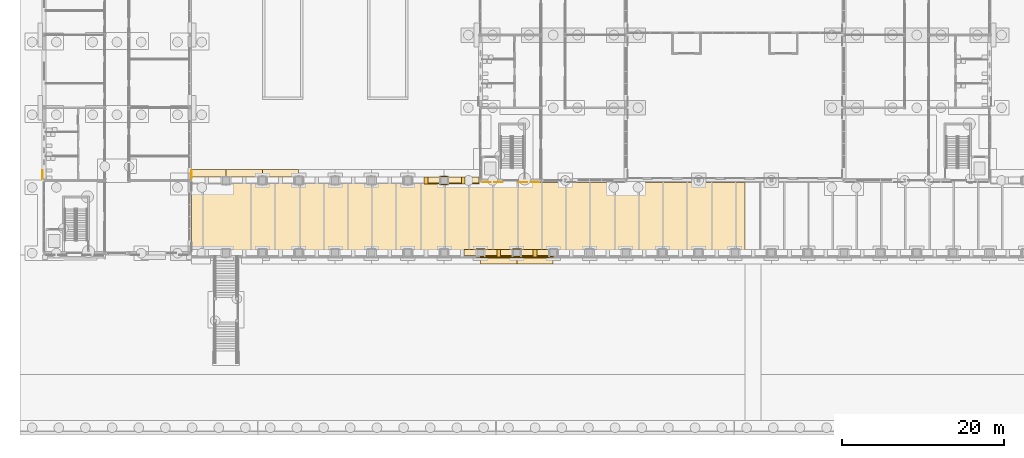
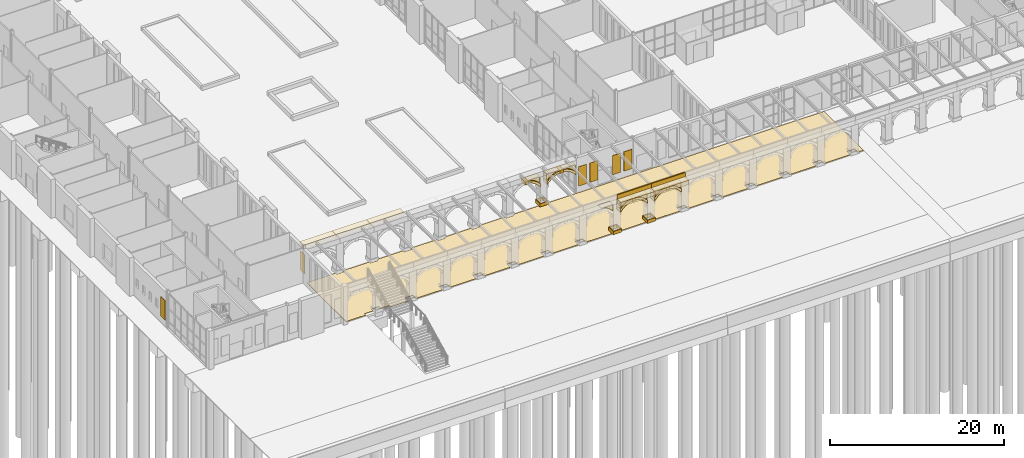
# One storey, part 127 of 168: 36 coverings.
"""IFC4 building model written with IfcOpenShell, lengths in metres."""

import ifcopenshell
import ifcopenshell.guid

model = None  # the IFC model being written
_history = None  # IfcOwnerHistory: only IFC2X3 demands one
_inside = {}  # id of a spatial element -> (the spatial element, [elements in it])
_under = {}  # id of a project, library or spatial element -> (it, [spatial elements below it])
_declared = {}  # id of a project -> (the project, [libraries it declares])
_typed = {}  # id of a type object -> (the type object, [elements of that type])
_made_of = {}  # id of a material, layer set ... -> (it, [elements and type objects made of it])


def new_model(schema):
    """Start an empty IFC model of exactly this schema.

    Asked for "IFC4X3", IfcOpenShell would pick the latest addendum, in which some entities
    have other attributes; the version numbers below select the first issue.
    IFC2X3 requires an IfcOwnerHistory on every rooted entity: one is made here for all.
    """
    global model, _history
    if schema == "IFC4X3":
        model = ifcopenshell.file(schema_version=(4, 3, 0, 0))
    else:
        model = ifcopenshell.file(schema=schema)
    _inside.clear()
    _under.clear()
    _declared.clear()
    _typed.clear()
    _made_of.clear()
    _history = None
    if model.schema == "IFC2X3":
        org = make("IfcOrganization", Name="unknown")
        user = make(
            "IfcPersonAndOrganization",
            ThePerson=make("IfcPerson", FamilyName="unknown"),
            TheOrganization=org,
        )
        app = make(
            "IfcApplication",
            ApplicationDeveloper=org,
            Version="unknown",
            ApplicationFullName="unknown",
            ApplicationIdentifier="unknown",
        )
        _history = make(
            "IfcOwnerHistory",
            OwningUser=user,
            OwningApplication=app,
            ChangeAction="ADDED",
            CreationDate=0,
        )
    return model


def make(cls, **values):
    """One entity of the class cls with the attributes given. An attribute that is None is left unset."""
    return model.create_entity(
        cls, **{name: value for name, value in values.items() if value is not None}
    )


def rooted(cls, **values):
    """An entity with a GlobalId (a new one), such as an element, a storey or a relation."""
    return make(cls, GlobalId=ifcopenshell.guid.new(), OwnerHistory=_history, **values)


def si_unit(unit_type, name, prefix=None):
    """IfcSIUnit, for example si_unit("LENGTHUNIT", "METRE", prefix="MILLI")."""
    return make("IfcSIUnit", UnitType=unit_type, Prefix=prefix, Name=name)


def assignment(units):
    """IfcUnitAssignment: the units of a project."""
    return None if units is None else make("IfcUnitAssignment", Units=units)


def point(xyz):
    """IfcCartesianPoint."""
    return None if xyz is None else make("IfcCartesianPoint", Coordinates=xyz)


def direction(xyz):
    """IfcDirection."""
    return None if xyz is None else make("IfcDirection", DirectionRatios=xyz)


def frame(location, z_axis=None, x_axis=None):
    """IfcAxis2Placement3D, a coordinate frame: its origin and axes. An axis left out is left unset."""
    return make(
        "IfcAxis2Placement3D",
        Location=point(location),
        Axis=direction(z_axis),
        RefDirection=direction(x_axis),
    )


def frame_2d(location, x_axis=None):
    """IfcAxis2Placement2D, a coordinate frame in the plane: its origin and x axis."""
    return make(
        "IfcAxis2Placement2D", Location=point(location), RefDirection=direction(x_axis)
    )


def origin():
    """The frame at (0, 0, 0) with its axes left unset."""
    return frame((0.0, 0.0, 0.0))


def origin_2d():
    """The frame at (0, 0) in the plane with its x axis left unset."""
    return frame_2d((0.0, 0.0))


def place(relative_to, where):
    """IfcLocalPlacement: puts the frame where relative to a parent placement (None: the world)."""
    return make(
        "IfcLocalPlacement", PlacementRelTo=relative_to, RelativePlacement=where
    )


def context(
    kind, dimensions, precision=None, world=None, true_north=None, identifier=None
):
    """IfcGeometricRepresentationContext, for example the 3D "Model" context."""
    return make(
        "IfcGeometricRepresentationContext",
        ContextIdentifier=identifier,
        ContextType=kind,
        CoordinateSpaceDimension=dimensions,
        Precision=precision,
        WorldCoordinateSystem=world,
        TrueNorth=true_north,
    )


def subcontext(parent, identifier, kind, view, scale=None):
    """IfcGeometricRepresentationSubContext, for example "Body" below "Model"."""
    return make(
        "IfcGeometricRepresentationSubContext",
        ContextIdentifier=identifier,
        ContextType=kind,
        ParentContext=parent,
        TargetScale=scale,
        TargetView=view,
    )


def project(units=None, contexts=None):
    """IfcProject with its units and contexts."""
    return rooted(
        "IfcProject",
        Name="project",
        RepresentationContexts=contexts,
        UnitsInContext=assignment(units),
    )


def spatial(cls, under=None, at=None, **own):
    """A site, building, storey or space (cls), placed at a placement, below another one or the project."""
    s = rooted(cls, ObjectPlacement=at, **own)
    if under is not None:
        _under.setdefault(under.id(), (under, []))[1].append(s)
    return s


def polyline(points):
    """IfcPolyline through the points."""
    return make("IfcPolyline", Points=[point(p) for p in points])


def profile(cls, at=None, kind="AREA", **sizes):
    """A parametric profile (cls). Its sizes go by their IFC names, for example OverallWidth=200.0."""
    return make(cls, ProfileType=kind, Position=at, **sizes)


def rectangle(**sizes):
    """IfcRectangleProfileDef."""
    return profile("IfcRectangleProfileDef", **sizes)


def outline(outer, holes=None, kind="AREA"):
    """IfcArbitraryClosedProfileDef: a profile drawn as a closed curve; with holes, ...WithVoids."""
    if holes is None:
        return make("IfcArbitraryClosedProfileDef", ProfileType=kind, OuterCurve=outer)
    return make(
        "IfcArbitraryProfileDefWithVoids",
        ProfileType=kind,
        OuterCurve=outer,
        InnerCurves=holes,
    )


def extrude(swept, where, along, depth):
    """IfcExtrudedAreaSolid: the profile swept, set in the frame where, extruded along a direction by depth."""
    return make(
        "IfcExtrudedAreaSolid",
        SweptArea=swept,
        Position=where,
        ExtrudedDirection=direction(along),
        Depth=depth,
    )


def shape(context_of_items, identifier, shape_type, items):
    """IfcShapeRepresentation: the items that make up one representation, for example the "Body"."""
    return make(
        "IfcShapeRepresentation",
        ContextOfItems=context_of_items,
        RepresentationIdentifier=identifier,
        RepresentationType=shape_type,
        Items=items,
    )


def material(Name=None, Category=None):
    """IfcMaterial."""
    return make("IfcMaterial", Name=Name, Category=Category)


def layer(
    of_material, thickness, ventilated=None, Name=None, Category=None, Priority=None
):
    """IfcMaterialLayer: one layer of a wall or slab, of a material (None: an air gap)."""
    return make(
        "IfcMaterialLayer",
        Material=of_material,
        LayerThickness=thickness,
        IsVentilated=ventilated,
        Name=Name,
        Category=Category,
        Priority=Priority,
    )


def layer_set(layers, Name=None):
    """IfcMaterialLayerSet."""
    return make("IfcMaterialLayerSet", MaterialLayers=layers, LayerSetName=Name)


def material_profile(
    of_material, cross_section, Name=None, Category=None, Priority=None
):
    """IfcMaterialProfile: a cross section and its material."""
    return make(
        "IfcMaterialProfile",
        Name=Name,
        Material=of_material,
        Profile=cross_section,
        Priority=Priority,
        Category=Category,
    )


def profile_set(profiles, Name=None, composite=None):
    """IfcMaterialProfileSet."""
    return make(
        "IfcMaterialProfileSet",
        Name=Name,
        MaterialProfiles=profiles,
        CompositeProfile=composite,
    )


def made_of(thing, what):
    """Note that an element or type object is made of a material, layer set ...; save() writes the relation."""
    if what is not None:
        _made_of.setdefault(what.id(), (what, []))[1].append(thing)
    return thing


def type_object(cls, material=None, **own):
    """A type object (cls), such as IfcWallType, which elements share."""
    return made_of(rooted(cls, **own), material)


def element(
    cls,
    number,
    at=None,
    inside=None,
    cuts=None,
    type_object=None,
    material=None,
    context=None,
    identifier="Body",
    shape_type=None,
    held_by="IfcProductDefinitionShape",
    body=None,
    shapes=None,
    **own,
):
    """One element of the class cls, such as IfcWall. Its Tag is "e" and its number.

    at: its placement. inside: the storey or other place that contains it. cuts: it is an
    opening in that element (IfcRelVoidsElement). A single representation is given by context,
    identifier, shape_type and body (its items); several are given by shapes. held_by: the class
    of the entity that holds the representations. save() writes the other relations.
    """
    e = rooted(cls, Tag="e%d" % number, ObjectPlacement=at, **own)
    if body is not None:
        shapes = [shape(context, identifier, shape_type, body)]
    if shapes is not None:
        e.Representation = make(held_by, Representations=shapes)
    if inside is not None:
        _inside.setdefault(inside.id(), (inside, []))[1].append(e)
    if cuts is not None:
        rooted(
            "IfcRelVoidsElement", RelatingBuildingElement=cuts, RelatedOpeningElement=e
        )
    if type_object is not None:
        _typed.setdefault(type_object.id(), (type_object, []))[1].append(e)
    return made_of(e, material)


def aggregate(whole, parts):
    """IfcRelAggregates: a whole, such as a stair, and the parts it consists of."""
    return rooted("IfcRelAggregates", RelatingObject=whole, RelatedObjects=parts)


def save(model, path):
    """Write the relations noted so far, then the file.

    IfcRelAggregates (storeys below a building ...), IfcRelContainedInSpatialStructure (elements
    in a storey), IfcRelDefinesByType, IfcRelAssociatesMaterial and IfcRelDeclares: one each for
    every whole, place, type object, material and project.
    """
    for whole, parts in _under.values():
        aggregate(whole, parts)
    for where, things in _inside.values():
        rooted(
            "IfcRelContainedInSpatialStructure",
            RelatedElements=things,
            RelatingStructure=where,
        )
    for kind, things in _typed.values():
        rooted("IfcRelDefinesByType", RelatedObjects=things, RelatingType=kind)
    for what, things in _made_of.values():
        rooted("IfcRelAssociatesMaterial", RelatedObjects=things, RelatingMaterial=what)
    for by, libraries in _declared.values():
        rooted("IfcRelDeclares", RelatingContext=by, RelatedDefinitions=libraries)
    model.write(path)


model = new_model("IFC4")

# Units and contexts
model_context = context("Model", 3, precision=1e-05, world=origin(), true_north=direction((0.0, 1.0)))
body_context = subcontext(model_context, "Body", "Model", "MODEL_VIEW")
ifc_project = project(units=[si_unit("LENGTHUNIT", "METRE"), si_unit("AREAUNIT", "SQUARE_METRE"), si_unit("VOLUMEUNIT", "CUBIC_METRE"), si_unit("PLANEANGLEUNIT", "RADIAN"), si_unit("MASSUNIT", "GRAM", prefix="KILO")], contexts=[model_context])

# Site, building, storey
site_placement = place(None, origin())
site = spatial("IfcSite", under=ifc_project, at=site_placement, CompositionType="ELEMENT")
building_placement = place(site_placement, origin())
building = spatial("IfcBuilding", under=site, at=building_placement, Name="Golden Quay Civic Hall", CompositionType="ELEMENT")
storey_placement = place(building_placement, origin())
storey = spatial("IfcBuildingStorey", under=building, at=storey_placement, Name="L00", CompositionType="ELEMENT", Elevation=0.0)

# Coverings
ifc_material_1 = material(Name="Brick, dark clay facing", Category="masonry")
ifc_layer_1 = layer(ifc_material_1, 0.75)
ifc_layer_set_1 = layer_set([ifc_layer_1], Name="Brick arch spandrel infill 750")
covering_type_1 = type_object("IfcCoveringType", Name="Brick arch spandrel infill 750", PredefinedType="CLADDING", material=ifc_layer_set_1)
covering_1_placement = place(storey_placement, frame((51.97509765625, -9.300048828125, 4.091064453125), z_axis=(0.0, -1.0, 0.0), x_axis=(0.97842552974, 0.0, -0.206599813053)))
element("IfcCovering", 1, at=covering_1_placement, inside=storey, type_object=covering_type_1, Name="Arch spandrel outer bay 8 right", PredefinedType="CLADDING", context=body_context, shape_type="SweptSolid", body=[
    extrude(outline(polyline([(0.0, 0.0), (0.06263051710363293, 1.734723475976807e-18), (0.31267483867747137, -0.0001008788149670925), (0.5881025541456739, -0.03651242089648961), (0.8673750848258303, -0.11003975339043703), (1.1505561937424948, -0.22216655622637274), (1.4375212099073598, -0.3746658221616902), (1.7294911476562997, -0.5697749671774053), (1.7300697733119603, -0.5701518352031314), (1.539106176579233, 0.3342229342292182), (-0.0018662580768914177, 0.008838316552825392), (0.0, 0.0)])), origin(), (0.0, 0.0, -1.0), 0.75),
])
covering_2_placement = place(storey_placement, frame((54.449951171875, -9.300048828125, 3.17578125), z_axis=(0.0, -1.0, 0.0), x_axis=(0.707106781187, 0.0, 0.707106781187)))
element("IfcCovering", 2, at=covering_2_placement, inside=storey, type_object=covering_type_1, Name="Arch spandrel outer bay 9 left", PredefinedType="CLADDING", context=body_context, shape_type="SweptSolid", body=[
    extrude(outline(polyline([(0.0, 0.0), (0.0006905339660024879, 0.0), (0.35182705567826755, 0.004143203796014933), (0.6755148522419337, -0.02468658928458889), (0.9739981590465092, -0.08528094480130727), (1.2481401435494968, -0.17608616133063437), (1.4988039732084, -0.29589380443206603), (1.7083810318901549, -0.4322742627175573), (1.760861613306344, -0.46645569403468046), (1.767249052491867, -0.4600682548491575), (0.6535903988213547, 0.6535903988213547), (0.0, 0.0)])), origin(), (0.0, 0.0, -1.0), 0.75),
])
covering_3_placement = place(storey_placement, frame((56.47509765625, -9.300048828125, 4.091064453125), z_axis=(0.0, -1.0, 0.0), x_axis=(0.97842552974, 0.0, -0.206599813053)))
element("IfcCovering", 3, at=covering_3_placement, inside=storey, type_object=covering_type_1, Name="Arch spandrel outer bay 9 right", PredefinedType="CLADDING", context=body_context, shape_type="SweptSolid", body=[
    extrude(outline(polyline([(0.0, 0.0), (0.06263051710363293, 1.734723475976807e-18), (0.31267483867747137, -0.0001008788149670925), (0.5881025541456739, -0.03651242089648961), (0.8673750848258303, -0.11003975339043703), (1.1505561937424948, -0.22216655622637274), (1.4375212099073598, -0.3746658221616902), (1.7294911476562997, -0.5697749671774053), (1.7300697733119603, -0.5701518352031314), (1.539106176579233, 0.3342229342292182), (-0.0018662580768914177, 0.008838316552825392), (0.0, 0.0)])), origin(), (0.0, 0.0, -1.0), 0.75),
])
covering_4_placement = place(storey_placement, frame((58.949951171875, -9.300048828125, 3.17578125), z_axis=(0.0, -1.0, 0.0), x_axis=(0.707106781187, 0.0, 0.707106781187)))
element("IfcCovering", 4, at=covering_4_placement, inside=storey, type_object=covering_type_1, Name="Arch spandrel outer bay 10 left", PredefinedType="CLADDING", context=body_context, shape_type="SweptSolid", body=[
    extrude(outline(polyline([(0.0, 0.0), (0.0006905339660024879, 0.0), (0.35182705567826755, 0.004143203796014933), (0.6755148522419337, -0.02468658928458889), (0.9739981590465092, -0.08528094480130727), (1.2481401435494968, -0.17608616133063437), (1.4988039732084, -0.29589380443206603), (1.7083810318901549, -0.4322742627175573), (1.760861613306344, -0.46645569403468046), (1.767249052491867, -0.4600682548491575), (0.6535903988213547, 0.6535903988213547), (0.0, 0.0)])), origin(), (0.0, 0.0, -1.0), 0.75),
])
for number, where, z_axis, x_axis, name in (
    (5, (60.97509765625, -9.300048828125, 4.091064453125), (0.0, -1.0, 0.0), (0.97842552974, 0.0, -0.206599813053), "Arch spandrel outer bay 10 right"),
    (6, (47.47509765625, -0.300048828125, 4.091064453125), (0.0, -1.0, 0.0), (0.97842552974, 0.0, -0.206599813053), "Arch spandrel inner0 bay 7 right"),
):
    element("IfcCovering", number, at=place(storey_placement, frame(where, z_axis=z_axis, x_axis=x_axis)), inside=storey, type_object=covering_type_1, Name=name, PredefinedType="CLADDING", context=body_context, shape_type="SweptSolid", body=[
        extrude(outline(polyline([(0.0, 0.0), (0.06263051710363293, 1.734723475976807e-18), (0.31267483867747137, -0.0001008788149670925), (0.5881025541456739, -0.03651242089648961), (0.8673750848258303, -0.11003975339043703), (1.1505561937424948, -0.22216655622637274), (1.4375212099073598, -0.3746658221616902), (1.7294911476562997, -0.5697749671774053), (1.7300697733119603, -0.5701518352031314), (1.539106176579233, 0.3342229342292182), (-0.0018662580768914177, 0.008838316552825392), (0.0, 0.0)])), origin(), (0.0, 0.0, -1.0), 0.75),
    ])
covering_5_placement = place(storey_placement, frame((49.949951171875, -0.300048828125, 3.1572265625), z_axis=(0.0, -1.0, 0.0), x_axis=(0.658056528973, 0.0, 0.752968528344)))
element("IfcCovering", 7, at=covering_5_placement, inside=storey, type_object=covering_type_1, Name="Arch spandrel inner0 bay 8 left", PredefinedType="CLADDING", context=body_context, shape_type="SweptSolid", body=[
    extrude(outline(polyline([(0.0, 0.0), (0.0385842612026579, 0.0), (0.4021525223351694, -0.03276039665791591), (0.7352018795032452, -0.09738057643804893), (1.0399151233174213, -0.19227712789255808), (1.3174647506449282, -0.31545263540967905), (1.568425423981958, -0.46608063545322176), (1.778152518425552, -0.6303723176978897), (1.8223660004242417, -0.6650096362183683), (1.8286162274661582, -0.659547252921231), (0.7099522598788931, 0.6204624792218898), (0.0, 0.0)])), origin(), (0.0, 0.0, -1.0), 0.75),
])
covering_6_placement = place(storey_placement, frame((52.10009765625, -0.300048828125, 4.091796875), z_axis=(0.0, -1.0, 0.0), x_axis=(0.982376592497, 0.0, -0.186912360519)))
element("IfcCovering", 8, at=covering_6_placement, inside=storey, type_object=covering_type_1, Name="Arch spandrel inner0 bay 8 right", PredefinedType="CLADDING", context=body_context, shape_type="SweptSolid", body=[
    extrude(outline(polyline([(0.0, 0.0), (0.05616561069495772, 0.0), (0.3225810962179613, -8.489841956726973e-06), (0.6130292018599638, -0.03620174733371928), (0.9074781455240727, -0.11040296603549432), (1.2058706207770802, -0.2236171309889091), (1.5078978096178108, -0.37813968321301317), (1.814301511987233, -0.5765632081953413), (1.8446749828176605, -0.600358112739552), (1.6684407210194774, 0.3258963795020623), (-0.001551518617591463, 0.0081544931994342), (0.0, 0.0)])), origin(), (0.0, 0.0, -1.0), 0.75),
])
ifc_material_2 = material(Name="Concrete block paving", Category="concrete")
ifc_layer_2 = layer(ifc_material_2, 0.10009765625)
ifc_layer_set_2 = layer_set([ifc_layer_2], Name="Concrete block paving 100")
covering_type_2 = type_object("IfcCoveringType", Name="Concrete block paving 100", PredefinedType="FLOORING", material=ifc_layer_set_2)
covering_7_placement = place(storey_placement, frame((0.0, 0.0, -0.10009765625)))
element("IfcCovering", 9, at=covering_7_placement, inside=storey, type_object=covering_type_2, Name="Arcade floor paving", PredefinedType="FLOORING", context=body_context, shape_type="SweptSolid", body=[
    extrude(outline(polyline([(86.75, -0.25), (86.75, -9.25), (86.0, -9.25), (86.0, -8.5), (85.0, -8.5), (85.0, -9.25), (81.5, -9.25), (81.5, -8.5), (80.5, -8.5), (80.5, -9.25), (77.0, -9.25), (77.0, -8.5), (76.0, -8.5), (76.0, -9.25), (72.5, -9.25), (72.5, -8.5), (71.5, -8.5), (71.5, -9.25), (68.0, -9.25), (68.0, -8.5), (67.0, -8.5), (67.0, -9.25), (63.5, -9.25), (63.5, -8.5), (62.5, -8.5), (62.5, -9.25), (59.0, -9.25), (59.0, -8.5), (58.0, -8.5), (58.0, -9.25), (54.5, -9.25), (54.5, -8.5), (53.5, -8.5), (53.5, -9.25), (50.0, -9.25), (50.0, -8.5), (49.0, -8.5), (49.0, -9.25), (45.5, -9.25), (45.5, -8.5), (44.5, -8.5), (44.5, -9.25), (41.0, -9.25), (41.0, -8.5), (40.0, -8.5), (40.0, -9.25), (36.5, -9.25), (36.5, -8.5), (35.5, -8.5), (35.5, -9.25), (32.0, -9.25), (32.0, -8.5), (31.0, -8.5), (31.0, -9.25), (27.5, -9.25), (27.5, -8.5), (26.5, -8.5), (26.5, -9.25), (24.14990234375, -9.25), (24.14990234375, -8.949951171875), (23.0, -8.949951171875), (23.0, -8.5), (22.0, -8.5), (22.0, -8.949951171875), (20.85009765625, -8.949951171875), (20.85009765625, -9.25), (18.25, -9.25), (18.25, -8.85009765625), (18.25, -0.25), (22.0, -0.25), (22.0, -0.5), (23.0, -0.5), (23.0, -0.25), (26.5, -0.25), (26.5, -0.5), (27.5, -0.5), (27.5, -0.25), (31.0, -0.25), (31.0, -0.5), (32.0, -0.5), (32.0, -0.25), (35.5, -0.25), (35.5, -0.5), (36.5, -0.5), (36.5, -0.25), (40.0, -0.25), (40.0, -0.5), (41.0, -0.5), (41.0, -0.25), (44.5, -0.25), (44.5, -0.5), (45.5, -0.5), (45.5, -0.25), (49.0, -0.25), (49.0, -0.5), (50.0, -0.5), (50.0, -0.25), (53.75, -0.25), (54.009033203125, -0.25), (61.490966796875, -0.25), (61.509033203125, -0.25), (64.490966796875, -0.25), (64.509033203125, -0.25), (71.75, -0.25), (71.990966796875, -0.25), (72.25, -0.25), (86.75, -0.25)])), origin(), (0.0, 0.0, 1.0), 0.10009765625),
])
ifc_material_3 = material(Name="Stone, buff limestone", Category="masonry")
ifc_layer_3 = layer(ifc_material_3, 0.89990234375)
ifc_layer_set_3 = layer_set([ifc_layer_3], Name="Stone arch keystone 450 x 420")
covering_type_3 = type_object("IfcCoveringType", Name="Stone arch keystone 450 x 420", PredefinedType="CLADDING", material=ifc_layer_set_3)
for number, where, z_axis, x_axis, name in (
    (10, (56.02490234375, -9.449951171875, 3.679931640625), (0.0, -1.0, 0.0), (1.0, 0.0, 0.0), "Arch keystone outer bay 9 crown"),
    (11, (60.52490234375, -9.449951171875, 3.679931640625), (0.0, -1.0, 0.0), (1.0, 0.0, 0.0), "Arch keystone outer bay 10 crown"),
    (12, (47.02490234375, -0.449951171875, 3.679931640625), (0.0, -1.0, 0.0), (1.0, 0.0, 0.0), "Arch keystone inner0 bay 7 crown"),
    (13, (51.64990234375, -0.449951171875, 3.679931640625), (0.0, -1.0, 0.0), (1.0, 0.0, 0.0), "Arch keystone inner0 bay 8 crown"),
):
    element("IfcCovering", number, at=place(storey_placement, frame(where, z_axis=z_axis, x_axis=x_axis)), inside=storey, type_object=covering_type_3, Name=name, PredefinedType="CLADDING", context=body_context, shape_type="SweptSolid", body=[
        extrude(outline(polyline([(0.0, 0.0), (0.4501953125, 0.0), (0.4501953125, 0.420166015625), (0.0, 0.420166015625), (0.0, 0.0)])), origin(), (0.0, 0.0, -1.0), 0.89990234375),
    ])
ifc_material_4 = material(Name="Stone, buff limestone", Category="masonry")
ifc_layer_4 = layer(ifc_material_4, 0.89990234375)
ifc_layer_set_4 = layer_set([ifc_layer_4], Name="Stone arch ring 900 x 300")
covering_type_4 = type_object("IfcCoveringType", Name="Stone arch ring 900 x 300", PredefinedType="CLADDING", material=ifc_layer_set_4)
covering_8_placement = place(storey_placement, frame((54.449951171875, -9.449951171875, 2.699951171875), z_axis=(0.0, -1.0, 0.0), x_axis=(0.630180832165, 0.0, 0.776448400585)))
element("IfcCovering", 14, at=covering_8_placement, inside=storey, type_object=covering_type_4, Name="Arch ring outer bay 9 left", PredefinedType="CLADDING", context=body_context, shape_type="SweptSolid", body=[
    extrude(outline(polyline([(0.0, 0.0), (0.3571953394339093, 0.0), (0.6778408073481526, -0.02935016390994566), (0.9656562359875701, -0.08566026756533418), (1.2233312115769217, -0.1664329572349489), (1.452986632547569, -0.2696324374142566), (1.6564467051663616, -0.39440701136103273), (1.8345410995356382, -0.5394544374263122), (2.0726317223713804, -0.3462153931881483), (2.023967866388838, -0.30678937647863513), (1.8296201479431229, -0.14946443483618055), (1.5926919309667726, -0.004373956702034887), (1.3294118430005957, 0.11429790304869314), (1.038796361200025, 0.20543846536483718), (0.7198262528649223, 0.2675916358552039), (0.37014433379061235, 0.2997875748909126), (0.36945750311055836, 0.2998589946020553), (0.0, 0.0)])), origin(), (0.0, 0.0, -1.0), 0.89990234375),
])
covering_9_placement = place(storey_placement, frame((56.47509765625, -9.449951171875, 3.784423828125), z_axis=(0.0, -1.0, 0.0), x_axis=(0.978953882547, 0.0, -0.20408159115)))
element("IfcCovering", 15, at=covering_9_placement, inside=storey, type_object=covering_type_4, Name="Arch ring outer bay 9 right", PredefinedType="CLADDING", context=body_context, shape_type="SweptSolid", body=[
    extrude(outline(polyline([(0.0, 0.0), (0.22968754671057404, 0.0), (0.4662407685933837, -0.031737496286033756), (0.7094806084662527, -0.09674615254891705), (0.9602836680123576, -0.19683833887607075), (1.2190088401055397, -0.33493190882748347), (1.486164491441282, -0.5146617232013373), (1.7631254697749046, -0.7402301762123651), (1.666017310314196, -0.27441447379927847), (1.665439656274305, -0.27403611818824464), (1.3739727106559259, -0.07817636573824266), (1.0874010326963535, 0.07506077076837225), (0.8045093690852512, 0.18791584163726896), (0.5254269523975812, 0.26216151297199447), (0.25009383740278873, 0.29928162385615015), (5.060311670204709e-05, 0.3000258789264141), (-0.06257970666118522, 0.30018703039037287), (0.0, 0.0)])), origin(), (0.0, 0.0, -1.0), 0.89990234375),
])
covering_10_placement = place(storey_placement, frame((58.949951171875, -9.449951171875, 2.699951171875), z_axis=(0.0, -1.0, 0.0), x_axis=(0.630180832165, 0.0, 0.776448400585)))
element("IfcCovering", 16, at=covering_10_placement, inside=storey, type_object=covering_type_4, Name="Arch ring outer bay 10 left", PredefinedType="CLADDING", context=body_context, shape_type="SweptSolid", body=[
    extrude(outline(polyline([(0.0, 0.0), (0.3571953394339093, 0.0), (0.6778408073481526, -0.02935016390994566), (0.9656562359875701, -0.08566026756533418), (1.2233312115769217, -0.1664329572349489), (1.452986632547569, -0.2696324374142566), (1.6564467051663616, -0.39440701136103273), (1.8345410995356382, -0.5394544374263122), (2.0726317223713804, -0.3462153931881483), (2.023967866388838, -0.30678937647863513), (1.8296201479431229, -0.14946443483618055), (1.5926919309667726, -0.004373956702034887), (1.3294118430005957, 0.11429790304869314), (1.038796361200025, 0.20543846536483718), (0.7198262528649223, 0.2675916358552039), (0.37014433379061235, 0.2997875748909126), (0.36945750311055836, 0.2998589946020553), (0.0, 0.0)])), origin(), (0.0, 0.0, -1.0), 0.89990234375),
])
for number, where, z_axis, x_axis, name in (
    (17, (60.97509765625, -9.449951171875, 3.784423828125), (0.0, -1.0, 0.0), (0.978953882547, 0.0, -0.20408159115), "Arch ring outer bay 10 right"),
    (18, (47.47509765625, -0.449951171875, 3.784423828125), (0.0, -1.0, 0.0), (0.978953882547, 0.0, -0.20408159115), "Arch ring inner0 bay 7 right"),
):
    element("IfcCovering", number, at=place(storey_placement, frame(where, z_axis=z_axis, x_axis=x_axis)), inside=storey, type_object=covering_type_4, Name=name, PredefinedType="CLADDING", context=body_context, shape_type="SweptSolid", body=[
        extrude(outline(polyline([(0.0, 0.0), (0.22968754671057404, 0.0), (0.4662407685933837, -0.031737496286033756), (0.7094806084662527, -0.09674615254891705), (0.9602836680123576, -0.19683833887607075), (1.2190088401055397, -0.33493190882748347), (1.486164491441282, -0.5146617232013373), (1.7631254697749046, -0.7402301762123651), (1.666017310314196, -0.27441447379927847), (1.665439656274305, -0.27403611818824464), (1.3739727106559259, -0.07817636573824266), (1.0874010326963535, 0.07506077076837225), (0.8045093690852512, 0.18791584163726896), (0.5254269523975812, 0.26216151297199447), (0.25009383740278873, 0.29928162385615015), (5.060311670204709e-05, 0.3000258789264141), (-0.06257970666118522, 0.30018703039037287), (0.0, 0.0)])), origin(), (0.0, 0.0, -1.0), 0.89990234375),
    ])
covering_11_placement = place(storey_placement, frame((49.949951171875, -0.449951171875, 2.699951171875), z_axis=(0.0, -1.0, 0.0), x_axis=(0.655607573195, 0.0, 0.75510178782)))
element("IfcCovering", 19, at=covering_11_placement, inside=storey, type_object=covering_type_4, Name="Arch ring inner0 bay 8 left", PredefinedType="CLADDING", context=body_context, shape_type="SweptSolid", body=[
    extrude(outline(polyline([(0.0, 0.0), (0.37052641215113535, 0.0), (0.7049200239085212, -0.03137184676420662), (1.0065234442554076, -0.09089004085938673), (1.2786064104358172, -0.17636231724758233), (1.5230367232536635, -0.2858436600369565), (1.7414735419107, -0.41789352524343826), (1.934862912098755, -0.5713671991885638), (2.165486041142534, -0.37113158540273483), (2.1213852871341565, -0.3363508533714772), (1.9121928840139812, -0.1713788876459601), (1.6617227426728611, -0.019936613972285855), (1.3845746275894437, 0.1041396673527406), (1.0801711951167352, 0.2000253635360042), (0.7473334673810057, 0.26572687752618274), (0.3838735226929925, 0.29966789547627354), (0.3452894649872084, 0.2997932091293825), (0.0, 0.0)])), origin(), (0.0, 0.0, -1.0), 0.89990234375),
])
covering_12_placement = place(storey_placement, frame((52.10009765625, -0.449951171875, 3.786376953125), z_axis=(0.0, -1.0, 0.0), x_axis=(0.982939290351, 0.0, -0.183930289744)))
element("IfcCovering", 20, at=covering_12_placement, inside=storey, type_object=covering_type_4, Name="Arch ring inner0 bay 8 right", PredefinedType="CLADDING", context=body_context, shape_type="SweptSolid", body=[
    extrude(outline(polyline([(0.0, 0.0), (0.24688786340350402, 0.0), (0.5000778577654419, -0.03235177585634241), (0.759599436808497, -0.09854008490102112), (1.0258567442357194, -0.20072470584818516), (1.2991037580492646, -0.34159027309324475), (1.5805389067688107, -0.5248865835273426), (1.8707754072436686, -0.7552180748473547), (1.7866686121533664, -0.30574412689165364), (1.7563674913828704, -0.28185715779537124), (1.4505673541333268, -0.0825047057154874), (1.1490104843418525, 0.07293369438710287), (0.8509629531809246, 0.18705286719602054), (0.5567405431855433, 0.2621473059930982), (0.26640361034481397, 0.2992218172849632), (-1.0622654082560745e-05, 0.3000387959534945), (-0.05617597472395519, 0.30020924126672827), (0.0, 0.0)])), origin(), (0.0, 0.0, -1.0), 0.89990234375),
])
ifc_material_5 = material(Name="Stone, buff limestone", Category="masonry")
ifc_material_profile_1 = material_profile(ifc_material_5, rectangle(XDim=0.89990234375, YDim=0.60009765625, at=origin_2d()), Name="RC 900x600")
ifc_profile_set_1 = profile_set([ifc_material_profile_1], Name="Stone, buff limestone")
covering_type_5 = type_object("IfcCoveringType", Name="Stone cornice 900 x 600", PredefinedType="MOLDING", material=ifc_profile_set_1)
for number, where, z_axis, x_axis, name in (
    (21, (54.0, -9.89990234375, 4.5), (1.0, 0.0, 0.0), (0.0, 1.0, 0.0), "Stone cornice outer bay 9"),
    (22, (58.5, -9.89990234375, 4.5), (1.0, 0.0, 0.0), (0.0, 1.0, 0.0), "Stone cornice outer bay 10"),
):
    element("IfcCovering", number, at=place(storey_placement, frame(where, z_axis=z_axis, x_axis=x_axis)), inside=storey, type_object=covering_type_5, Name=name, PredefinedType="MOLDING", context=body_context, shape_type="SweptSolid", body=[
        extrude(rectangle(XDim=0.89990234375, YDim=0.60009765625, at=origin_2d()), origin(), (0.0, 0.0, 1.0), 4.5),
    ])
covering_13_placement = place(storey_placement, frame((18.199951171875, 0.89990234375, 4.5), z_axis=(1.0, 0.0, 0.0), x_axis=(0.0, 1.0, 0.0)))
element("IfcCovering", 23, at=covering_13_placement, inside=storey, type_object=covering_type_5, Name="Stone cornice inner0 bay 1", PredefinedType="MOLDING", context=body_context, shape_type="SweptSolid", body=[
    extrude(rectangle(XDim=0.89990234375, YDim=0.60009765625, at=origin_2d()), origin(), (0.0, 0.0, 1.0), 4.300048828125),
])
for number, where, z_axis, x_axis, name in (
    (24, (22.5, 0.89990234375, 4.5), (1.0, 0.0, 0.0), (0.0, 1.0, 0.0), "Stone cornice inner0 bay 2"),
    (25, (27.0, 0.89990234375, 4.5), (1.0, 0.0, 0.0), (0.0, 1.0, 0.0), "Stone cornice inner0 bay 3"),
):
    element("IfcCovering", number, at=place(storey_placement, frame(where, z_axis=z_axis, x_axis=x_axis)), inside=storey, type_object=covering_type_5, Name=name, PredefinedType="MOLDING", context=body_context, shape_type="SweptSolid", body=[
        extrude(rectangle(XDim=0.89990234375, YDim=0.60009765625, at=origin_2d()), origin(), (0.0, 0.0, 1.0), 4.5),
    ])
ifc_material_6 = material(Name="Stone, buff limestone", Category="masonry")
ifc_layer_5 = layer(ifc_material_6, 0.449951171875)
ifc_layer_set_5 = layer_set([ifc_layer_5], Name="Stone pier plinth 450")
covering_type_6 = type_object("IfcCoveringType", Name="Stone pier plinth 450", PredefinedType="CLADDING", material=ifc_layer_set_5)
covering_14_placement = place(storey_placement, origin())
element("IfcCovering", 26, at=covering_14_placement, inside=storey, type_object=covering_type_6, Name="Pier plinth outer 54", PredefinedType="CLADDING", context=body_context, shape_type="SweptSolid", body=[
    extrude(outline(polyline([(53.449951171875, -9.550048828125), (54.550048828125, -9.550048828125), (54.550048828125, -8.449951171875), (53.449951171875, -8.449951171875), (53.449951171875, -9.550048828125)]), holes=[polyline([(53.550048828125, -9.449951171875), (54.449951171875, -9.449951171875), (54.449951171875, -8.550048828125), (53.550048828125, -8.550048828125), (53.550048828125, -9.449951171875)])]), origin(), (0.0, 0.0, 1.0), 0.449951171875),
])
covering_15_placement = place(storey_placement, origin())
element("IfcCovering", 27, at=covering_15_placement, inside=storey, type_object=covering_type_6, Name="Pier plinth outer 58.5", PredefinedType="CLADDING", context=body_context, shape_type="SweptSolid", body=[
    extrude(outline(polyline([(57.949951171875, -9.550048828125), (59.050048828125, -9.550048828125), (59.050048828125, -8.449951171875), (57.949951171875, -8.449951171875), (57.949951171875, -9.550048828125)]), holes=[polyline([(58.050048828125, -9.449951171875), (58.949951171875, -9.449951171875), (58.949951171875, -8.550048828125), (58.050048828125, -8.550048828125), (58.050048828125, -9.449951171875)])]), origin(), (0.0, 0.0, 1.0), 0.449951171875),
])
covering_16_placement = place(storey_placement, origin())
element("IfcCovering", 28, at=covering_16_placement, inside=storey, type_object=covering_type_6, Name="Pier plinth inner0 49.5", PredefinedType="CLADDING", context=body_context, shape_type="SweptSolid", body=[
    extrude(outline(polyline([(48.949951171875, -0.550048828125), (50.050048828125, -0.550048828125), (50.050048828125, 0.550048828125), (48.949951171875, 0.550048828125), (48.949951171875, -0.550048828125)]), holes=[polyline([(49.050048828125, -0.449951171875), (49.949951171875, -0.449951171875), (49.949951171875, 0.449951171875), (49.050048828125, 0.449951171875), (49.050048828125, -0.449951171875)])]), origin(), (0.0, 0.0, 1.0), 0.449951171875),
])
ifc_material_7 = material(Name="Stone, buff limestone", Category="masonry")
ifc_material_profile_2 = material_profile(ifc_material_7, rectangle(XDim=0.14990234375, YDim=0.60009765625, at=origin_2d()), Name="RC 150x600")
ifc_profile_set_2 = profile_set([ifc_material_profile_2], Name="Stone, buff limestone")
covering_type_7 = type_object("IfcCoveringType", Name="Stone terrace fascia 150 x 600", PredefinedType="CLADDING", material=ifc_profile_set_2)
for number, where, z_axis, x_axis, name in (
    (29, (54.0, -9.47509765625, 5.10009765625), (1.0, 0.0, 0.0), (0.0, 1.0, 0.0), "Terrace fascia bay 9"),
    (30, (58.5, -9.47509765625, 5.10009765625), (1.0, 0.0, 0.0), (0.0, 1.0, 0.0), "Terrace fascia bay 10"),
):
    element("IfcCovering", number, at=place(storey_placement, frame(where, z_axis=z_axis, x_axis=x_axis)), inside=storey, type_object=covering_type_7, Name=name, PredefinedType="CLADDING", context=body_context, shape_type="SweptSolid", body=[
        extrude(rectangle(XDim=0.14990234375, YDim=0.60009765625, at=origin_2d()), origin(), (0.0, 0.0, 1.0), 4.5),
    ])
ifc_material_8 = material(Name="Terracotta cladding, golden glaze", Category="masonry")
ifc_layer_6 = layer(ifc_material_8, 0.050048828125)
ifc_layer_set_6 = layer_set([ifc_layer_6], Name="Terracotta solid panel 1050 x 2700 x 50")
covering_type_8 = type_object("IfcCoveringType", Name="Terracotta solid panel 1050 x 2700 x 50", PredefinedType="CLADDING", material=ifc_layer_set_6)
covering_17_placement = place(storey_placement, frame((0.0, 0.0, 0.89990234375)))
element("IfcCovering", 31, at=covering_17_placement, inside=storey, type_object=covering_type_8, Name="Terracotta solid panel 1050 x 2700 x 50 L00 1", PredefinedType="CLADDING", context=body_context, shape_type="SweptSolid", body=[
    extrude(outline(polyline([(-0.199951171875, 0.22509765625), (-0.199951171875, 1.27490234375), (-0.25, 1.27490234375), (-0.25, 0.22509765625), (-0.199951171875, 0.22509765625)])), origin(), (0.0, 0.0, 1.0), 2.7001953125),
])
covering_18_placement = place(storey_placement, frame((0.0, 0.0, 0.89990234375)))
element("IfcCovering", 32, at=covering_18_placement, inside=storey, type_object=covering_type_8, Name="Terracotta solid panel 1050 x 2700 x 50 L00 15", PredefinedType="CLADDING", context=body_context, shape_type="SweptSolid", body=[
    extrude(outline(polyline([(18.199951171875, 0.22509765625), (18.199951171875, 1.27490234375), (18.25, 1.27490234375), (18.25, 0.22509765625), (18.199951171875, 0.22509765625)])), origin(), (0.0, 0.0, 1.0), 2.7001953125),
])
covering_19_placement = place(storey_placement, frame((0.0, 0.0, 0.89990234375)))
element("IfcCovering", 33, at=covering_19_placement, inside=storey, type_object=covering_type_8, Name="Terracotta solid panel 1050 x 2700 x 50 L00 42", PredefinedType="CLADDING", context=body_context, shape_type="SweptSolid", body=[
    extrude(outline(polyline([(54.22509765625, -0.199951171875), (55.27490234375, -0.199951171875), (55.27490234375, -0.25), (54.22509765625, -0.25), (54.22509765625, -0.199951171875)])), origin(), (0.0, 0.0, 1.0), 2.7001953125),
])
covering_20_placement = place(storey_placement, frame((0.0, 0.0, 0.89990234375)))
element("IfcCovering", 34, at=covering_20_placement, inside=storey, type_object=covering_type_8, Name="Terracotta solid panel 1050 x 2700 x 50 L00 43", PredefinedType="CLADDING", context=body_context, shape_type="SweptSolid", body=[
    extrude(outline(polyline([(55.72509765625, -0.199951171875), (56.77490234375, -0.199951171875), (56.77490234375, -0.25), (55.72509765625, -0.25), (55.72509765625, -0.199951171875)])), origin(), (0.0, 0.0, 1.0), 2.7001953125),
])
covering_21_placement = place(storey_placement, frame((0.0, 0.0, 0.89990234375)))
element("IfcCovering", 35, at=covering_21_placement, inside=storey, type_object=covering_type_8, Name="Terracotta solid panel 1050 x 2700 x 50 L00 44", PredefinedType="CLADDING", context=body_context, shape_type="SweptSolid", body=[
    extrude(outline(polyline([(58.72509765625, -0.199951171875), (59.77490234375, -0.199951171875), (59.77490234375, -0.25), (58.72509765625, -0.25), (58.72509765625, -0.199951171875)])), origin(), (0.0, 0.0, 1.0), 2.7001953125),
])
covering_22_placement = place(storey_placement, frame((0.0, 0.0, 0.89990234375)))
element("IfcCovering", 36, at=covering_22_placement, inside=storey, type_object=covering_type_8, Name="Terracotta solid panel 1050 x 2700 x 50 L00 45", PredefinedType="CLADDING", context=body_context, shape_type="SweptSolid", body=[
    extrude(outline(polyline([(60.22509765625, -0.199951171875), (61.27490234375, -0.199951171875), (61.27490234375, -0.25), (60.22509765625, -0.25), (60.22509765625, -0.199951171875)])), origin(), (0.0, 0.0, 1.0), 2.7001953125),
])

save(model, "model.ifc")
